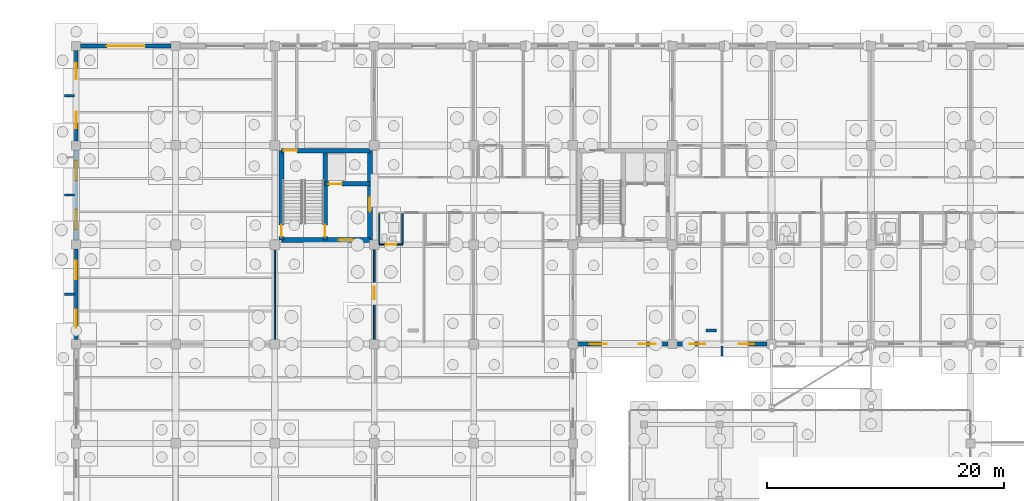
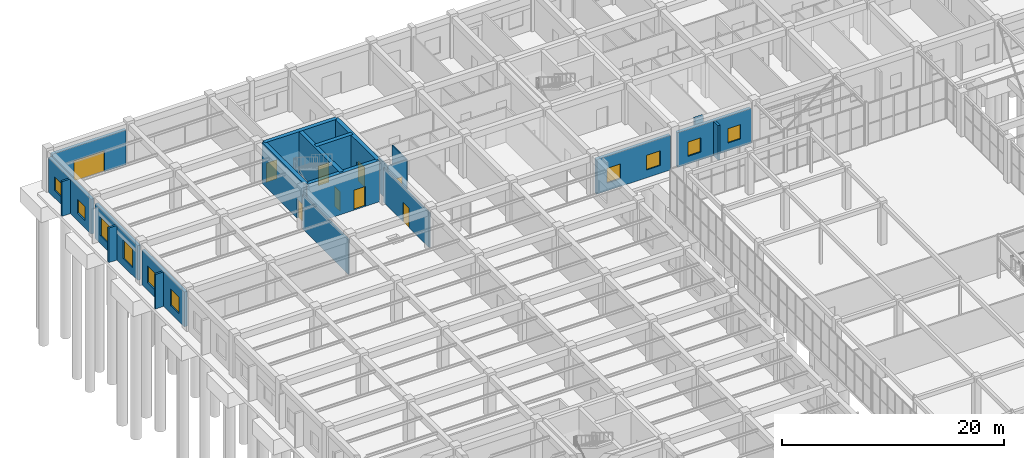
# One storey, part 161 of 192: 22 walls, 10 windows, 9 doors, 19 openings.
"""IFC4 building model written with IfcOpenShell, lengths in metres."""

from ifc_helpers import new_model, si_unit, direction, frame, frame_2d, origin, place, context, subcontext, project, spatial, rectangle, extrude, material, layer, layer_set, type_object, element, fill, save


model = new_model("IFC4")

# Units and contexts
model_context = context("Model", 3, precision=1e-05, world=origin(), true_north=direction((0.0, 1.0)))
body_context = subcontext(model_context, "Body", "Model", "MODEL_VIEW")
ifc_project = project(units=[si_unit("LENGTHUNIT", "METRE"), si_unit("AREAUNIT", "SQUARE_METRE"), si_unit("VOLUMEUNIT", "CUBIC_METRE"), si_unit("PLANEANGLEUNIT", "RADIAN"), si_unit("MASSUNIT", "GRAM", prefix="KILO")], contexts=[model_context])

# Site, building, storey
site_placement = place(None, origin())
site = spatial("IfcSite", under=ifc_project, at=site_placement, CompositionType="ELEMENT")
building_placement = place(site_placement, origin())
building = spatial("IfcBuilding", under=site, at=building_placement, Name="Trelvath General Hospital", CompositionType="ELEMENT")
storey_placement = place(building_placement, origin())
storey = spatial("IfcBuildingStorey", under=building, at=storey_placement, Name="L00", CompositionType="ELEMENT", Elevation=0.0)

# Walls
ifc_material_1 = material(Name="Precast concrete C40/50", Category="concrete")
ifc_layer_1 = layer(ifc_material_1, 0.199951171875)
ifc_layer_set_1 = layer_set([ifc_layer_1], Name="Precast concrete C40/50")
wall_type_1 = type_object("IfcWallType", Name="BriseSoleilRib 200", PredefinedType="ELEMENTEDWALL", material=ifc_layer_set_1)
for number, where, z_axis, x_axis, name in (
    (1, (-0.14990234375, 96.60009765625, 0.0), (0.0, 0.0, 1.0), (-1.0, 0.0, 0.0), "Precast Concrete Brise-Soleil Rib Fin L00-9"),
    (2, (-0.14990234375, 105.0, 0.0), (0.0, 0.0, 1.0), (-1.0, 0.0, 0.0), "Precast Concrete Brise-Soleil Rib Fin L00-10"),
    (3, (-0.14990234375, 113.39990234375, 0.0), (0.0, 0.0, 1.0), (-1.0, 0.0, 0.0), "Precast Concrete Brise-Soleil Rib Fin L00-11"),
    (4, (54.60009765625, 92.25, 0.0), (0.0, 0.0, 1.0), (0.0, -1.0, 0.0), "Precast Concrete Brise-Soleil Rib Fin L00-26"),
):
    element("IfcWall", number, at=place(storey_placement, frame(where, z_axis=z_axis, x_axis=x_axis)), inside=storey, type_object=wall_type_1, Name=name, PredefinedType="ELEMENTEDWALL", context=body_context, shape_type="SweptSolid", body=[
        extrude(rectangle(XDim=0.85009765625, YDim=0.199951171875, at=frame_2d((0.425048828125, 0.0))), origin(), (0.0, 0.0, 1.0), 3.800048828125),
    ])

# Wall, opening, door
ifc_material_2 = material(Name="Concrete C40/50", Category="concrete")
ifc_layer_2 = layer(ifc_material_2, 0.39990234375)
ifc_layer_set_2 = layer_set([ifc_layer_2], Name="Concrete C40/50")
wall_type_2 = type_object("IfcWallType", Name="CoreShearWall 400", PredefinedType="SHEAR", material=ifc_layer_set_2)
wall_1_placement = place(storey_placement, frame((17.35009765625, 101.199951171875, 0.0), z_axis=(0.0, 0.0, 1.0), x_axis=(1.0, 0.0, 0.0)))
wall_1 = element("IfcWall", 5, at=wall_1_placement, inside=storey, type_object=wall_type_2, Name="Core Shear Wall C3 S L00", PredefinedType="SHEAR", context=body_context, shape_type="SweptSolid", body=[
    extrude(rectangle(XDim=7.5, YDim=0.39990234375, at=frame_2d((3.75, 0.0))), origin(), (0.0, 0.0, 1.0), 4.52001953125),
])
opening_1_placement = place(wall_1_placement, frame((4.85009765625, 0.0, 0.0)))
opening_1 = element("IfcOpeningElement", 6, at=opening_1_placement, cuts=wall_1, Name="Opening FD-LS30", PredefinedType="OPENING", context=body_context, shape_type="SweptSolid", body=[
    extrude(rectangle(XDim=1.199951171875, YDim=2.199951171875, at=frame_2d((0.60009765625, 1.10009765625))), frame((0.0, 0.2099609375, 0.0), z_axis=(0.0, -1.0, 0.0), x_axis=(1.0, 0.0, 0.0)), (0.0, 0.0, 1.0), 0.419921875),
])
ifc_material_3 = material(Name="Fire-rated steel door", Category="steel")
door_type_1 = type_object("IfcDoorType", Name="Door FireLobby 1200x2200", OperationType="NOTDEFINED", PredefinedType="DOOR", material=ifc_material_3)
door_1_placement = place(opening_1_placement, origin())
door_1 = element("IfcDoor", 7, at=door_1_placement, inside=storey, type_object=door_type_1, Name="Fire Lobby South Door C3 L00", OperationType="SINGLE_SWING_LEFT", OverallHeight=2.199951171875, OverallWidth=1.199951171875, PredefinedType="DOOR", context=body_context, shape_type="SweptSolid", body=[
    extrude(rectangle(XDim=1.199951171875, YDim=2.199951171875, at=frame_2d((0.60009765625, 1.10009765625))), frame((0.0, 0.02490234375, 0.0), z_axis=(0.0, -1.0, 0.0), x_axis=(1.0, 0.0, 0.0)), (0.0, 0.0, 1.0), 0.050048828125),
])
fill(opening_1, door_1)

wall_2_placement = place(storey_placement, frame((17.35009765625, 108.75, 0.0), z_axis=(0.0, 0.0, 1.0), x_axis=(1.0, 0.0, 0.0)))
wall_2 = element("IfcWall", 8, at=wall_2_placement, inside=storey, type_object=wall_type_2, Name="Core Shear Wall C3 N L00", PredefinedType="SHEAR", context=body_context, shape_type="SweptSolid", body=[
    extrude(rectangle(XDim=7.5, YDim=0.39990234375, at=frame_2d((3.75, 0.0))), origin(), (0.0, 0.0, 1.0), 4.52001953125),
])
opening_2_placement = place(wall_2_placement, frame((0.219970703125, 0.0, 0.0)))
opening_2 = element("IfcOpeningElement", 9, at=opening_2_placement, cuts=wall_2, Name="Opening FD-EX3", PredefinedType="OPENING", context=body_context, shape_type="SweptSolid", body=[
    extrude(rectangle(XDim=1.10009765625, YDim=2.10009765625, at=frame_2d((0.550048828125, 1.050048828125))), frame((0.0, 0.2099609375, 0.0), z_axis=(0.0, -1.0, 0.0), x_axis=(1.0, 0.0, 0.0)), (0.0, 0.0, 1.0), 0.419921875),
])
ifc_material_4 = material(Name="Fire-rated steel door", Category="steel")
door_type_2 = type_object("IfcDoorType", Name="Door FireStair 1100x2150", OperationType="NOTDEFINED", PredefinedType="DOOR", material=ifc_material_4)
door_2_placement = place(opening_2_placement, origin())
door_2 = element("IfcDoor", 10, at=door_2_placement, inside=storey, type_object=door_type_2, Name="Exit Stair Discharge Door ST3 L00", OperationType="SINGLE_SWING_LEFT", OverallHeight=2.10009765625, OverallWidth=1.10009765625, PredefinedType="DOOR", context=body_context, shape_type="SweptSolid", body=[
    extrude(rectangle(XDim=1.10009765625, YDim=2.10009765625, at=frame_2d((0.550048828125, 1.050048828125))), frame((0.0, 0.02490234375, 0.0), z_axis=(0.0, -1.0, 0.0), x_axis=(1.0, 0.0, 0.0)), (0.0, 0.0, 1.0), 0.050048828125),
])
fill(opening_2, door_2)

wall_3_placement = place(storey_placement, frame((17.35009765625, 101.199951171875, 0.0), z_axis=(0.0, 0.0, 1.0), x_axis=(0.0, 1.0, 0.0)))
wall_3 = element("IfcWall", 11, at=wall_3_placement, inside=storey, type_object=wall_type_2, Name="Core Shear Wall C3 W L00", PredefinedType="SHEAR", context=body_context, shape_type="SweptSolid", body=[
    extrude(rectangle(XDim=7.550048828125, YDim=0.39990234375, at=frame_2d((3.77490234375, 0.0))), origin(), (0.0, 0.0, 1.0), 4.52001953125),
])
opening_3_placement = place(wall_3_placement, frame((0.280029296875, 0.0, 0.0)))
opening_3 = element("IfcOpeningElement", 12, at=opening_3_placement, cuts=wall_3, Name="Opening FD-SW30", PredefinedType="OPENING", context=body_context, shape_type="SweptSolid", body=[
    extrude(rectangle(XDim=1.0, YDim=2.14990234375, at=frame_2d((0.5, 1.074951171875))), frame((0.0, 0.2099609375, 0.0), z_axis=(0.0, -1.0, 0.0), x_axis=(1.0, 0.0, 0.0)), (0.0, 0.0, 1.0), 0.419921875),
])
door_3_placement = place(opening_3_placement, origin())
door_3 = element("IfcDoor", 13, at=door_3_placement, inside=storey, type_object=door_type_2, Name="West Corridor Stair Door ST3 L00", OperationType="SINGLE_SWING_RIGHT", OverallHeight=2.14990234375, OverallWidth=1.0, PredefinedType="DOOR", context=body_context, shape_type="SweptSolid", body=[
    extrude(rectangle(XDim=1.0, YDim=2.14990234375, at=frame_2d((0.5, 1.074951171875))), frame((0.0, 0.02490234375, 0.0), z_axis=(0.0, -1.0, 0.0), x_axis=(1.0, 0.0, 0.0)), (0.0, 0.0, 1.0), 0.050048828125),
])
fill(opening_3, door_3)

wall_4_placement = place(storey_placement, frame((24.85009765625, 101.199951171875, 0.0), z_axis=(0.0, 0.0, 1.0), x_axis=(0.0, 1.0, 0.0)))
wall_4 = element("IfcWall", 14, at=wall_4_placement, inside=storey, type_object=wall_type_2, Name="Core Shear Wall C3 E L00", PredefinedType="SHEAR", context=body_context, shape_type="SweptSolid", body=[
    extrude(rectangle(XDim=7.550048828125, YDim=0.39990234375, at=frame_2d((3.77490234375, 0.0))), origin(), (0.0, 0.0, 1.0), 4.52001953125),
])
opening_4_placement = place(wall_4_placement, frame((2.39990234375, 0.0, 0.0)))
opening_4 = element("IfcOpeningElement", 15, at=opening_4_placement, cuts=wall_4, Name="Opening FD-LE30", PredefinedType="OPENING", context=body_context, shape_type="SweptSolid", body=[
    extrude(rectangle(XDim=1.199951171875, YDim=2.199951171875, at=frame_2d((0.60009765625, 1.10009765625))), frame((0.0, 0.2099609375, 0.0), z_axis=(0.0, -1.0, 0.0), x_axis=(1.0, 0.0, 0.0)), (0.0, 0.0, 1.0), 0.419921875),
])
door_4_placement = place(opening_4_placement, origin())
door_4 = element("IfcDoor", 16, at=door_4_placement, inside=storey, type_object=door_type_1, Name="Fire Lobby East Corridor Door C3 L00", OperationType="SINGLE_SWING_RIGHT", OverallHeight=2.199951171875, OverallWidth=1.199951171875, PredefinedType="DOOR", context=body_context, shape_type="SweptSolid", body=[
    extrude(rectangle(XDim=1.199951171875, YDim=2.199951171875, at=frame_2d((0.60009765625, 1.10009765625))), frame((0.0, 0.02490234375, 0.0), z_axis=(0.0, -1.0, 0.0), x_axis=(1.0, 0.0, 0.0)), (0.0, 0.0, 1.0), 0.050048828125),
])
fill(opening_4, door_4)

wall_5_placement = place(storey_placement, frame((21.050048828125, 101.199951171875, 0.0), z_axis=(0.0, 0.0, 1.0), x_axis=(0.0, 1.0, 0.0)))
wall_5 = element("IfcWall", 17, at=wall_5_placement, inside=storey, type_object=wall_type_2, Name="Core Shear Wall C3 SPINE L00", PredefinedType="SHEAR", context=body_context, shape_type="SweptSolid", body=[
    extrude(rectangle(XDim=7.550048828125, YDim=0.39990234375, at=frame_2d((3.77490234375, 0.0))), origin(), (0.0, 0.0, 1.0), 4.52001953125),
])
opening_5_placement = place(wall_5_placement, frame((0.280029296875, 0.0, 0.0)))
opening_5 = element("IfcOpeningElement", 18, at=opening_5_placement, cuts=wall_5, Name="Opening FD-S30", PredefinedType="OPENING", context=body_context, shape_type="SweptSolid", body=[
    extrude(rectangle(XDim=1.0, YDim=2.14990234375, at=frame_2d((0.5, 1.074951171875))), frame((0.0, 0.2099609375, 0.0), z_axis=(0.0, -1.0, 0.0), x_axis=(1.0, 0.0, 0.0)), (0.0, 0.0, 1.0), 0.419921875),
])
door_5_placement = place(opening_5_placement, origin())
door_5 = element("IfcDoor", 19, at=door_5_placement, inside=storey, type_object=door_type_2, Name="Exit Stair Door ST3 L00", OperationType="SINGLE_SWING_LEFT", OverallHeight=2.14990234375, OverallWidth=1.0, PredefinedType="DOOR", context=body_context, shape_type="SweptSolid", body=[
    extrude(rectangle(XDim=1.0, YDim=2.14990234375, at=frame_2d((0.5, 1.074951171875))), frame((0.0, 0.02490234375, 0.0), z_axis=(0.0, -1.0, 0.0), x_axis=(1.0, 0.0, 0.0)), (0.0, 0.0, 1.0), 0.050048828125),
])
fill(opening_5, door_5)

wall_6_placement = place(storey_placement, frame((21.050048828125, 105.949951171875, 0.0), z_axis=(0.0, 0.0, 1.0), x_axis=(1.0, 0.0, 0.0)))
wall_6 = element("IfcWall", 20, at=wall_6_placement, inside=storey, type_object=wall_type_2, Name="Core Shear Wall C3 SHAFT L00", PredefinedType="SHEAR", context=body_context, shape_type="SweptSolid", body=[
    extrude(rectangle(XDim=3.800048828125, YDim=0.39990234375, at=frame_2d((1.89990234375, 0.0))), origin(), (0.0, 0.0, 1.0), 4.52001953125),
])
opening_6_placement = place(wall_6_placement, frame((0.320068359375, 0.0, 0.0)))
opening_6 = element("IfcOpeningElement", 21, at=opening_6_placement, cuts=wall_6, Name="Opening LD-CL1-0", PredefinedType="OPENING", context=body_context, shape_type="SweptSolid", body=[
    extrude(rectangle(XDim=1.10009765625, YDim=2.14990234375, at=frame_2d((0.550048828125, 1.074951171875))), frame((0.0, 0.2099609375, 0.0), z_axis=(0.0, -1.0, 0.0), x_axis=(1.0, 0.0, 0.0)), (0.0, 0.0, 1.0), 0.419921875),
])
ifc_material_5 = material(Name="Stainless steel lift landing sliding door", Category="steel")
door_type_3 = type_object("IfcDoorType", Name="Door LiftLanding 1100x2150", OperationType="SLIDING_TO_LEFT", PredefinedType="DOOR", material=ifc_material_5)
door_6_placement = place(opening_6_placement, origin())
door_6 = element("IfcDoor", 22, at=door_6_placement, inside=storey, type_object=door_type_3, Name="Lift Landing Sliding Door LF-CL1 L00", OperationType="SLIDING_TO_LEFT", OverallHeight=2.14990234375, OverallWidth=1.10009765625, PredefinedType="DOOR", context=body_context, shape_type="SweptSolid", body=[
    extrude(rectangle(XDim=1.10009765625, YDim=2.14990234375, at=frame_2d((0.550048828125, 1.074951171875))), frame((0.0, 0.02490234375, 0.0), z_axis=(0.0, -1.0, 0.0), x_axis=(1.0, 0.0, 0.0)), (0.0, 0.0, 1.0), 0.050048828125),
])
fill(opening_6, door_6)

# Walls
ifc_material_6 = material(Name="Moisture-resistant tile partition")
ifc_layer_3 = layer(ifc_material_6, 0.110107421875)
ifc_layer_set_3 = layer_set([ifc_layer_3], Name="Moisture-resistant tile partition")
wall_type_3 = type_object("IfcWallType", Name="EnSuiteWetWall 110", PredefinedType="PARTITIONING", material=ifc_layer_set_3)
for number, where, z_axis, x_axis, name in (
    (23, (25.6201171875, 100.820068359375, 0.0), (0.0, 0.0, 1.0), (0.0, 1.0, 0.0), "En-Suite W Wall L00-173"),
    (24, (27.60009765625, 100.820068359375, 0.0), (0.0, 0.0, 1.0), (0.0, 1.0, 0.0), "En-Suite E Wall L00-174"),
):
    element("IfcWall", number, at=place(storey_placement, frame(where, z_axis=z_axis, x_axis=x_axis)), inside=storey, type_object=wall_type_3, Name=name, PredefinedType="PARTITIONING", context=body_context, shape_type="SweptSolid", body=[
        extrude(rectangle(XDim=2.60986328125, YDim=0.110107421875, at=frame_2d((1.304931640625, 0.0))), origin(), (0.0, 0.0, 1.0), 3.800048828125),
    ])

# Wall, opening, door
wall_7_placement = place(storey_placement, frame((25.6201171875, 100.820068359375, 0.0), z_axis=(0.0, 0.0, 1.0), x_axis=(1.0, 0.0, 0.0)))
wall_7 = element("IfcWall", 25, at=wall_7_placement, inside=storey, type_object=wall_type_3, Name="En-Suite Bathroom Partition L00-175", PredefinedType="PARTITIONING", context=body_context, shape_type="SweptSolid", body=[
    extrude(rectangle(XDim=1.97998046875, YDim=0.110107421875, at=frame_2d((0.989990234375, 0.0))), origin(), (0.0, 0.0, 1.0), 3.800048828125),
])
opening_7_placement = place(wall_7_placement, frame((0.5400390625, 0.0, 0.0)))
opening_7 = element("IfcOpeningElement", 26, at=opening_7_placement, cuts=wall_7, Name="Opening D-0-0367", PredefinedType="OPENING", context=body_context, shape_type="SweptSolid", body=[
    extrude(rectangle(XDim=0.89990234375, YDim=2.10009765625, at=frame_2d((0.449951171875, 1.050048828125))), frame((0.0, 0.06494140625, 0.0), z_axis=(0.0, -1.0, 0.0), x_axis=(1.0, 0.0, 0.0)), (0.0, 0.0, 1.0), 0.130126953125),
])
ifc_material_7 = material(Name="Moisture-sealed timber leaf", Category="wood")
door_type_4 = type_object("IfcDoorType", Name="Door EnSuite 900x2100", OperationType="NOTDEFINED", PredefinedType="DOOR", material=ifc_material_7)
door_7_placement = place(opening_7_placement, origin())
door_7 = element("IfcDoor", 27, at=door_7_placement, inside=storey, type_object=door_type_4, Name="En-Suite Bathroom Door L00-367", OperationType="SINGLE_SWING_LEFT", OverallHeight=2.10009765625, OverallWidth=0.89990234375, PredefinedType="DOOR", context=body_context, shape_type="SweptSolid", body=[
    extrude(rectangle(XDim=0.89990234375, YDim=2.10009765625, at=frame_2d((0.449951171875, 1.050048828125))), frame((0.0, 0.02490234375, 0.0), z_axis=(0.0, -1.0, 0.0), x_axis=(1.0, 0.0, 0.0)), (0.0, 0.0, 1.0), 0.050048828125),
])
fill(opening_7, door_7)

# Wall, openings, windows
ifc_material_8 = material(Name="Concrete C35/45", Category="concrete")
ifc_layer_4 = layer(ifc_material_8, 0.320068359375)
ifc_layer_set_4 = layer_set([ifc_layer_4], Name="Concrete C35/45")
wall_type_4 = type_object("IfcWallType", Name="ExtThermalWall 320", PredefinedType="SOLIDWALL", material=ifc_layer_set_4)
wall_8_placement = place(storey_placement, frame((0.0, 92.77490234375, 0.0), z_axis=(0.0, 0.0, 1.0), x_axis=(0.0, 1.0, 0.0)))
wall_8 = element("IfcWall", 28, at=wall_8_placement, inside=storey, type_object=wall_type_4, Name="Exterior Concrete Wall L00-13", PredefinedType="SOLIDWALL", context=body_context, shape_type="SweptSolid", body=[
    extrude(rectangle(XDim=7.650146484375, YDim=0.320068359375, at=frame_2d((3.8251953125, 0.0))), origin(), (0.0, 0.0, 1.0), 3.820068359375),
])
opening_8_placement = place(wall_8_placement, frame((0.989501953125, 0.0, 0.85009765625)))
opening_8 = element("IfcOpeningElement", 29, at=opening_8_placement, cuts=wall_8, Name="Opening WN-0-017", PredefinedType="OPENING", context=body_context, shape_type="SweptSolid", body=[
    extrude(rectangle(XDim=1.5400390625, YDim=1.85009765625, at=frame_2d((0.77001953125, 0.925048828125))), frame((0.0, 0.169921875, 0.0), z_axis=(0.0, -1.0, 0.0), x_axis=(1.0, 0.0, 0.0)), (0.0, 0.0, 1.0), 0.340087890625),
])
opening_9_placement = place(wall_8_placement, frame((5.12060546875, 0.0, 0.85009765625)))
opening_9 = element("IfcOpeningElement", 30, at=opening_9_placement, cuts=wall_8, Name="Opening WN-0-018", PredefinedType="OPENING", context=body_context, shape_type="SweptSolid", body=[
    extrude(rectangle(XDim=1.5400390625, YDim=1.85009765625, at=frame_2d((0.77001953125, 0.925048828125))), frame((0.0, 0.169921875, 0.0), z_axis=(0.0, -1.0, 0.0), x_axis=(1.0, 0.0, 0.0)), (0.0, 0.0, 1.0), 0.340087890625),
])
ifc_material_9 = material(Name="Low-E laminated glass", Category="glass")
window_type_1 = type_object("IfcWindowType", Name="Window Waiting 1540x1850", PartitioningType="DOUBLE_PANEL_VERTICAL", PredefinedType="WINDOW", material=ifc_material_9)
window_1_placement = place(opening_8_placement, origin())
window_1 = element("IfcWindow", 31, at=window_1_placement, inside=storey, type_object=window_type_1, Name="Solar Reveal Window L00-17", OverallHeight=1.85009765625, OverallWidth=1.5400390625, PartitioningType="SINGLE_PANEL", PredefinedType="WINDOW", context=body_context, shape_type="SweptSolid", body=[
    extrude(rectangle(XDim=1.5400390625, YDim=1.85009765625, at=frame_2d((0.77001953125, 0.925048828125))), frame((0.0, 0.030029296875, 0.0), z_axis=(0.0, -1.0, 0.0), x_axis=(1.0, 0.0, 0.0)), (0.0, 0.0, 1.0), 0.06005859375),
])
fill(opening_8, window_1)
window_2_placement = place(opening_9_placement, origin())
window_2 = element("IfcWindow", 32, at=window_2_placement, inside=storey, type_object=window_type_1, Name="Solar Reveal Window L00-18", OverallHeight=1.85009765625, OverallWidth=1.5400390625, PartitioningType="SINGLE_PANEL", PredefinedType="WINDOW", context=body_context, shape_type="SweptSolid", body=[
    extrude(rectangle(XDim=1.5400390625, YDim=1.85009765625, at=frame_2d((0.77001953125, 0.925048828125))), frame((0.0, 0.030029296875, 0.0), z_axis=(0.0, -1.0, 0.0), x_axis=(1.0, 0.0, 0.0)), (0.0, 0.0, 1.0), 0.06005859375),
])
fill(opening_9, window_2)

wall_9_placement = place(storey_placement, frame((0.0, 101.175048828125, 0.0), z_axis=(0.0, 0.0, 1.0), x_axis=(0.0, 1.0, 0.0)))
wall_9 = element("IfcWall", 33, at=wall_9_placement, inside=storey, type_object=wall_type_4, Name="Exterior Concrete Wall L00-14", PredefinedType="SOLIDWALL", context=body_context, shape_type="SweptSolid", body=[
    extrude(rectangle(XDim=7.64990234375, YDim=0.320068359375, at=frame_2d((3.824951171875, 0.0))), origin(), (0.0, 0.0, 1.0), 3.820068359375),
])
opening_10_placement = place(wall_9_placement, frame((0.91943359375, 0.0, 0.85009765625)))
opening_10 = element("IfcOpeningElement", 34, at=opening_10_placement, cuts=wall_9, Name="Opening WN-0-019", PredefinedType="OPENING", context=body_context, shape_type="SweptSolid", body=[
    extrude(rectangle(XDim=1.679931640625, YDim=2.050048828125, at=frame_2d((0.83984375, 1.02490234375))), frame((0.0, 0.169921875, 0.0), z_axis=(0.0, -1.0, 0.0), x_axis=(1.0, 0.0, 0.0)), (0.0, 0.0, 1.0), 0.340087890625),
])
opening_11_placement = place(wall_9_placement, frame((5.050537109375, 0.0, 0.85009765625)))
opening_11 = element("IfcOpeningElement", 35, at=opening_11_placement, cuts=wall_9, Name="Opening WN-0-020", PredefinedType="OPENING", context=body_context, shape_type="SweptSolid", body=[
    extrude(rectangle(XDim=1.679931640625, YDim=2.050048828125, at=frame_2d((0.83984375, 1.02490234375))), frame((0.0, 0.169921875, 0.0), z_axis=(0.0, -1.0, 0.0), x_axis=(1.0, 0.0, 0.0)), (0.0, 0.0, 1.0), 0.340087890625),
])
ifc_material_10 = material(Name="Low-E laminated glass", Category="glass")
window_type_2 = type_object("IfcWindowType", Name="Window Cafe 1680x2050", PartitioningType="DOUBLE_PANEL_VERTICAL", PredefinedType="WINDOW", material=ifc_material_10)
window_3_placement = place(opening_10_placement, origin())
window_3 = element("IfcWindow", 36, at=window_3_placement, inside=storey, type_object=window_type_2, Name="Solar Reveal Window L00-19", OverallHeight=2.050048828125, OverallWidth=1.679931640625, PartitioningType="SINGLE_PANEL", PredefinedType="WINDOW", context=body_context, shape_type="SweptSolid", body=[
    extrude(rectangle(XDim=1.679931640625, YDim=2.050048828125, at=frame_2d((0.83984375, 1.02490234375))), frame((0.0, 0.030029296875, 0.0), z_axis=(0.0, -1.0, 0.0), x_axis=(1.0, 0.0, 0.0)), (0.0, 0.0, 1.0), 0.06005859375),
])
fill(opening_10, window_3)
window_4_placement = place(opening_11_placement, origin())
window_4 = element("IfcWindow", 37, at=window_4_placement, inside=storey, type_object=window_type_2, Name="Solar Reveal Window L00-20", OverallHeight=2.050048828125, OverallWidth=1.679931640625, PartitioningType="SINGLE_PANEL", PredefinedType="WINDOW", context=body_context, shape_type="SweptSolid", body=[
    extrude(rectangle(XDim=1.679931640625, YDim=2.050048828125, at=frame_2d((0.83984375, 1.02490234375))), frame((0.0, 0.030029296875, 0.0), z_axis=(0.0, -1.0, 0.0), x_axis=(1.0, 0.0, 0.0)), (0.0, 0.0, 1.0), 0.06005859375),
])
fill(opening_11, window_4)

# Wall, opening, door
wall_10_placement = place(storey_placement, frame((0.375, 117.60009765625, 0.0), z_axis=(0.0, 0.0, 1.0), x_axis=(1.0, 0.0, 0.0)))
wall_10 = element("IfcWall", 38, at=wall_10_placement, inside=storey, type_object=wall_type_4, Name="Exterior Concrete Wall L00-15", PredefinedType="SOLIDWALL", context=body_context, shape_type="SweptSolid", body=[
    extrude(rectangle(XDim=7.64990234375, YDim=0.320068359375, at=frame_2d((3.824951171875, 0.0))), origin(), (0.0, 0.0, 1.0), 3.820068359375),
])
opening_12_placement = place(wall_10_placement, frame((2.22509765625, 0.0, 0.0)))
opening_12 = element("IfcOpeningElement", 39, at=opening_12_placement, cuts=wall_10, Name="Opening GT-202", PredefinedType="OPENING", context=body_context, shape_type="SweptSolid", body=[
    extrude(rectangle(XDim=3.199951171875, YDim=2.300048828125, at=frame_2d((1.60009765625, 1.14990234375))), frame((0.0, 0.169921875, 0.0), z_axis=(0.0, -1.0, 0.0), x_axis=(1.0, 0.0, 0.0)), (0.0, 0.0, 1.0), 0.340087890625),
])
ifc_material_11 = material(Name="Architectural painted steel yard gate", Category="steel")
door_type_5 = type_object("IfcDoorType", Name="Gate ServiceYard 3200x2300", OperationType="DOUBLE_SWING_LEFT", PredefinedType="GATE", material=ifc_material_11)
door_8_placement = place(opening_12_placement, origin())
door_8 = element("IfcDoor", 40, at=door_8_placement, inside=storey, type_object=door_type_5, Name="Building Service Portal Gate GT-202", OperationType="DOUBLE_SWING_LEFT", OverallHeight=2.300048828125, OverallWidth=3.199951171875, PredefinedType="GATE", context=body_context, shape_type="SweptSolid", body=[
    extrude(rectangle(XDim=3.199951171875, YDim=2.300048828125, at=frame_2d((1.60009765625, 1.14990234375))), frame((0.0, 0.02490234375, 0.0), z_axis=(0.0, -1.0, 0.0), x_axis=(1.0, 0.0, 0.0)), (0.0, 0.0, 1.0), 0.050048828125),
])
fill(opening_12, door_8)

# Wall, openings, windows
wall_11_placement = place(storey_placement, frame((0.0, 109.574951171875, 0.0), z_axis=(0.0, 0.0, 1.0), x_axis=(0.0, 1.0, 0.0)))
wall_11 = element("IfcWall", 41, at=wall_11_placement, inside=storey, type_object=wall_type_4, Name="Exterior Concrete Wall L00-16", PredefinedType="SOLIDWALL", context=body_context, shape_type="SweptSolid", body=[
    extrude(rectangle(XDim=7.650146484375, YDim=0.320068359375, at=frame_2d((3.8251953125, 0.0))), origin(), (0.0, 0.0, 1.0), 3.820068359375),
])
opening_13_placement = place(wall_11_placement, frame((1.069580078125, 0.0, 0.85009765625)))
opening_13 = element("IfcOpeningElement", 42, at=opening_13_placement, cuts=wall_11, Name="Opening WN-0-021", PredefinedType="OPENING", context=body_context, shape_type="SweptSolid", body=[
    extrude(rectangle(XDim=1.3798828125, YDim=1.5, at=frame_2d((0.68994140625, 0.75))), frame((0.0, 0.169921875, 0.0), z_axis=(0.0, -1.0, 0.0), x_axis=(1.0, 0.0, 0.0)), (0.0, 0.0, 1.0), 0.340087890625),
])
opening_14_placement = place(wall_11_placement, frame((5.200439453125, 0.0, 0.85009765625)))
opening_14 = element("IfcOpeningElement", 43, at=opening_14_placement, cuts=wall_11, Name="Opening WN-0-022", PredefinedType="OPENING", context=body_context, shape_type="SweptSolid", body=[
    extrude(rectangle(XDim=1.3798828125, YDim=1.5, at=frame_2d((0.68994140625, 0.75))), frame((0.0, 0.169921875, 0.0), z_axis=(0.0, -1.0, 0.0), x_axis=(1.0, 0.0, 0.0)), (0.0, 0.0, 1.0), 0.340087890625),
])
ifc_material_12 = material(Name="Low-E laminated glass", Category="glass")
window_type_3 = type_object("IfcWindowType", Name="Window Admin 1380x1500", PartitioningType="SINGLE_PANEL", PredefinedType="WINDOW", material=ifc_material_12)
window_5_placement = place(opening_13_placement, origin())
window_5 = element("IfcWindow", 44, at=window_5_placement, inside=storey, type_object=window_type_3, Name="Solar Reveal Window L00-21", OverallHeight=1.5, OverallWidth=1.3798828125, PartitioningType="SINGLE_PANEL", PredefinedType="WINDOW", context=body_context, shape_type="SweptSolid", body=[
    extrude(rectangle(XDim=1.3798828125, YDim=1.5, at=frame_2d((0.68994140625, 0.75))), frame((0.0, 0.030029296875, 0.0), z_axis=(0.0, -1.0, 0.0), x_axis=(1.0, 0.0, 0.0)), (0.0, 0.0, 1.0), 0.06005859375),
])
fill(opening_13, window_5)
window_6_placement = place(opening_14_placement, origin())
window_6 = element("IfcWindow", 45, at=window_6_placement, inside=storey, type_object=window_type_3, Name="Solar Reveal Window L00-22", OverallHeight=1.5, OverallWidth=1.3798828125, PartitioningType="SINGLE_PANEL", PredefinedType="WINDOW", context=body_context, shape_type="SweptSolid", body=[
    extrude(rectangle(XDim=1.3798828125, YDim=1.5, at=frame_2d((0.68994140625, 0.75))), frame((0.0, 0.030029296875, 0.0), z_axis=(0.0, -1.0, 0.0), x_axis=(1.0, 0.0, 0.0)), (0.0, 0.0, 1.0), 0.06005859375),
])
fill(opening_14, window_6)

wall_12_placement = place(storey_placement, frame((50.02490234375, 92.39990234375, 0.0), z_axis=(0.0, 0.0, 1.0), x_axis=(-1.0, 0.0, 0.0)))
wall_12 = element("IfcWall", 46, at=wall_12_placement, inside=storey, type_object=wall_type_4, Name="Exterior Concrete Wall L00-35", PredefinedType="SOLIDWALL", context=body_context, shape_type="SweptSolid", body=[
    extrude(rectangle(XDim=7.64990234375, YDim=0.320068359375, at=frame_2d((3.824951171875, 0.0))), origin(), (0.0, 0.0, 1.0), 3.820068359375),
])
opening_15_placement = place(wall_12_placement, frame((1.03955078125, 0.0, 0.85009765625)))
opening_15 = element("IfcOpeningElement", 47, at=opening_15_placement, cuts=wall_12, Name="Opening WN-0-051", PredefinedType="OPENING", context=body_context, shape_type="SweptSolid", body=[
    extrude(rectangle(XDim=1.43994140625, YDim=1.6201171875, at=frame_2d((0.719970703125, 0.81005859375))), frame((0.0, 0.169921875, 0.0), z_axis=(0.0, -1.0, 0.0), x_axis=(1.0, 0.0, 0.0)), (0.0, 0.0, 1.0), 0.340087890625),
])
opening_16_placement = place(wall_12_placement, frame((5.17041015625, 0.0, 0.85009765625)))
opening_16 = element("IfcOpeningElement", 48, at=opening_16_placement, cuts=wall_12, Name="Opening WN-0-052", PredefinedType="OPENING", context=body_context, shape_type="SweptSolid", body=[
    extrude(rectangle(XDim=1.43994140625, YDim=1.6201171875, at=frame_2d((0.719970703125, 0.81005859375))), frame((0.0, 0.169921875, 0.0), z_axis=(0.0, -1.0, 0.0), x_axis=(1.0, 0.0, 0.0)), (0.0, 0.0, 1.0), 0.340087890625),
])
ifc_material_13 = material(Name="Low-E laminated glass", Category="glass")
window_type_4 = type_object("IfcWindowType", Name="Window Maternity 1440x1620", PartitioningType="DOUBLE_PANEL_VERTICAL", PredefinedType="WINDOW", material=ifc_material_13)
window_7_placement = place(opening_15_placement, origin())
window_7 = element("IfcWindow", 49, at=window_7_placement, inside=storey, type_object=window_type_4, Name="Solar Reveal Window L00-51", OverallHeight=1.6201171875, OverallWidth=1.43994140625, PartitioningType="SINGLE_PANEL", PredefinedType="WINDOW", context=body_context, shape_type="SweptSolid", body=[
    extrude(rectangle(XDim=1.43994140625, YDim=1.6201171875, at=frame_2d((0.719970703125, 0.81005859375))), frame((0.0, 0.030029296875, 0.0), z_axis=(0.0, -1.0, 0.0), x_axis=(1.0, 0.0, 0.0)), (0.0, 0.0, 1.0), 0.06005859375),
])
fill(opening_15, window_7)
window_8_placement = place(opening_16_placement, origin())
window_8 = element("IfcWindow", 50, at=window_8_placement, inside=storey, type_object=window_type_4, Name="Solar Reveal Window L00-52", OverallHeight=1.6201171875, OverallWidth=1.43994140625, PartitioningType="SINGLE_PANEL", PredefinedType="WINDOW", context=body_context, shape_type="SweptSolid", body=[
    extrude(rectangle(XDim=1.43994140625, YDim=1.6201171875, at=frame_2d((0.719970703125, 0.81005859375))), frame((0.0, 0.030029296875, 0.0), z_axis=(0.0, -1.0, 0.0), x_axis=(1.0, 0.0, 0.0)), (0.0, 0.0, 1.0), 0.06005859375),
])
fill(opening_16, window_8)

wall_13_placement = place(storey_placement, frame((58.425048828125, 92.39990234375, 0.0), z_axis=(0.0, 0.0, 1.0), x_axis=(-1.0, 0.0, 0.0)))
wall_13 = element("IfcWall", 51, at=wall_13_placement, inside=storey, type_object=wall_type_4, Name="Exterior Concrete Wall L00-39", PredefinedType="SOLIDWALL", context=body_context, shape_type="SweptSolid", body=[
    extrude(rectangle(XDim=7.650146484375, YDim=0.320068359375, at=frame_2d((3.8251953125, 0.0))), origin(), (0.0, 0.0, 1.0), 3.820068359375),
])
opening_17_placement = place(wall_13_placement, frame((1.099609375, 0.0, 0.85009765625)))
opening_17 = element("IfcOpeningElement", 52, at=opening_17_placement, cuts=wall_13, Name="Opening WN-0-059", PredefinedType="OPENING", context=body_context, shape_type="SweptSolid", body=[
    extrude(rectangle(XDim=1.320068359375, YDim=1.580078125, at=frame_2d((0.66015625, 0.7900390625))), frame((0.0, 0.169921875, 0.0), z_axis=(0.0, -1.0, 0.0), x_axis=(1.0, 0.0, 0.0)), (0.0, 0.0, 1.0), 0.340087890625),
])
opening_18_placement = place(wall_13_placement, frame((5.23046875, 0.0, 0.85009765625)))
opening_18 = element("IfcOpeningElement", 53, at=opening_18_placement, cuts=wall_13, Name="Opening WN-0-060", PredefinedType="OPENING", context=body_context, shape_type="SweptSolid", body=[
    extrude(rectangle(XDim=1.320068359375, YDim=1.580078125, at=frame_2d((0.66015625, 0.7900390625))), frame((0.0, 0.169921875, 0.0), z_axis=(0.0, -1.0, 0.0), x_axis=(1.0, 0.0, 0.0)), (0.0, 0.0, 1.0), 0.340087890625),
])
ifc_material_14 = material(Name="Low-E laminated glass", Category="glass")
window_type_5 = type_object("IfcWindowType", Name="Window Pediatrics 1320x1580", PartitioningType="DOUBLE_PANEL_VERTICAL", PredefinedType="WINDOW", material=ifc_material_14)
window_9_placement = place(opening_17_placement, origin())
window_9 = element("IfcWindow", 54, at=window_9_placement, inside=storey, type_object=window_type_5, Name="Solar Reveal Window L00-59", OverallHeight=1.580078125, OverallWidth=1.320068359375, PartitioningType="SINGLE_PANEL", PredefinedType="WINDOW", context=body_context, shape_type="SweptSolid", body=[
    extrude(rectangle(XDim=1.320068359375, YDim=1.580078125, at=frame_2d((0.66015625, 0.7900390625))), frame((0.0, 0.030029296875, 0.0), z_axis=(0.0, -1.0, 0.0), x_axis=(1.0, 0.0, 0.0)), (0.0, 0.0, 1.0), 0.06005859375),
])
fill(opening_17, window_9)
window_10_placement = place(opening_18_placement, origin())
window_10 = element("IfcWindow", 55, at=window_10_placement, inside=storey, type_object=window_type_5, Name="Solar Reveal Window L00-60", OverallHeight=1.580078125, OverallWidth=1.320068359375, PartitioningType="SINGLE_PANEL", PredefinedType="WINDOW", context=body_context, shape_type="SweptSolid", body=[
    extrude(rectangle(XDim=1.320068359375, YDim=1.580078125, at=frame_2d((0.66015625, 0.7900390625))), frame((0.0, 0.030029296875, 0.0), z_axis=(0.0, -1.0, 0.0), x_axis=(1.0, 0.0, 0.0)), (0.0, 0.0, 1.0), 0.06005859375),
])
fill(opening_18, window_10)

# Walls
ifc_material_15 = material(Name="Masonry service chase blockwork", Category="masonry")
ifc_layer_5 = layer(ifc_material_15, 0.239990234375)
ifc_layer_set_5 = layer_set([ifc_layer_5], Name="Masonry service chase blockwork")
wall_type_5 = type_object("IfcWallType", Name="PlumbingChaseWall 240", PredefinedType="PLUMBINGWALL", material=ifc_layer_set_5)
wall_14_placement = place(storey_placement, frame((53.25, 93.550048828125, 0.0), z_axis=(0.0, 0.0, 1.0), x_axis=(1.0, 0.0, 0.0)))
element("IfcWall", 56, at=wall_14_placement, inside=storey, type_object=wall_type_5, Name="Medical Gas Plumbing Chase L00-207", PredefinedType="PLUMBINGWALL", context=body_context, shape_type="SweptSolid", body=[
    extrude(rectangle(XDim=0.89990234375, YDim=0.239990234375, at=frame_2d((0.449951171875, 0.0))), origin(), (0.0, 0.0, 1.0), 3.800048828125),
])
ifc_material_16 = material(Name="Gypsum acoustic steel-stud partition", Category="steel")
ifc_layer_6 = layer(ifc_material_16, 0.1298828125)
ifc_layer_set_6 = layer_set([ifc_layer_6], Name="Gypsum acoustic steel-stud partition")
wall_type_6 = type_object("IfcWallType", Name="WardPartition 130", PredefinedType="PARTITIONING", material=ifc_layer_set_6)
wall_15_placement = place(storey_placement, frame((16.800048828125, 92.5400390625, 0.0), z_axis=(0.0, 0.0, 1.0), x_axis=(0.0, 1.0, 0.0)))
element("IfcWall", 57, at=wall_15_placement, inside=storey, type_object=wall_type_6, Name="Inter-Bay Ward Partition S L00-166", PredefinedType="PARTITIONING", context=body_context, shape_type="SweptSolid", body=[
    extrude(rectangle(XDim=8.2099609375, YDim=0.1298828125, at=frame_2d((4.10498046875, 0.0))), origin(), (0.0, 0.0, 1.0), 3.800048828125),
])

# Wall, opening, door
wall_16_placement = place(storey_placement, frame((25.199951171875, 92.5400390625, 0.0), z_axis=(0.0, 0.0, 1.0), x_axis=(0.0, 1.0, 0.0)))
wall_16 = element("IfcWall", 58, at=wall_16_placement, inside=storey, type_object=wall_type_6, Name="Inter-Bay Ward Partition S L00-169", PredefinedType="PARTITIONING", context=body_context, shape_type="SweptSolid", body=[
    extrude(rectangle(XDim=8.2099609375, YDim=0.1298828125, at=frame_2d((4.10498046875, 0.0))), origin(), (0.0, 0.0, 1.0), 3.800048828125),
])
opening_19_placement = place(wall_16_placement, frame((3.639892578125, 0.0, 0.0)))
opening_19 = element("IfcOpeningElement", 59, at=opening_19_placement, cuts=wall_16, Name="Opening D-0-0363", PredefinedType="OPENING", context=body_context, shape_type="SweptSolid", body=[
    extrude(rectangle(XDim=1.080078125, YDim=2.14990234375, at=frame_2d((0.5400390625, 1.074951171875))), frame((0.0, 0.074951171875, 0.0), z_axis=(0.0, -1.0, 0.0), x_axis=(1.0, 0.0, 0.0)), (0.0, 0.0, 1.0), 0.14990234375),
])
ifc_material_17 = material(Name="Acoustic hospital timber leaf", Category="wood")
door_type_6 = type_object("IfcDoorType", Name="Door CleanSupply 1080x2150", OperationType="NOTDEFINED", PredefinedType="DOOR", material=ifc_material_17)
door_9_placement = place(opening_19_placement, origin())
door_9 = element("IfcDoor", 60, at=door_9_placement, inside=storey, type_object=door_type_6, Name="Clean Supply Connecting Door L00-363", OperationType="SINGLE_SWING_LEFT", OverallHeight=2.14990234375, OverallWidth=1.080078125, PredefinedType="DOOR", context=body_context, shape_type="SweptSolid", body=[
    extrude(rectangle(XDim=1.080078125, YDim=2.14990234375, at=frame_2d((0.5400390625, 1.074951171875))), frame((0.0, 0.02490234375, 0.0), z_axis=(0.0, -1.0, 0.0), x_axis=(1.0, 0.0, 0.0)), (0.0, 0.0, 1.0), 0.050048828125),
])
fill(opening_19, door_9)

save(model, "model.ifc")
